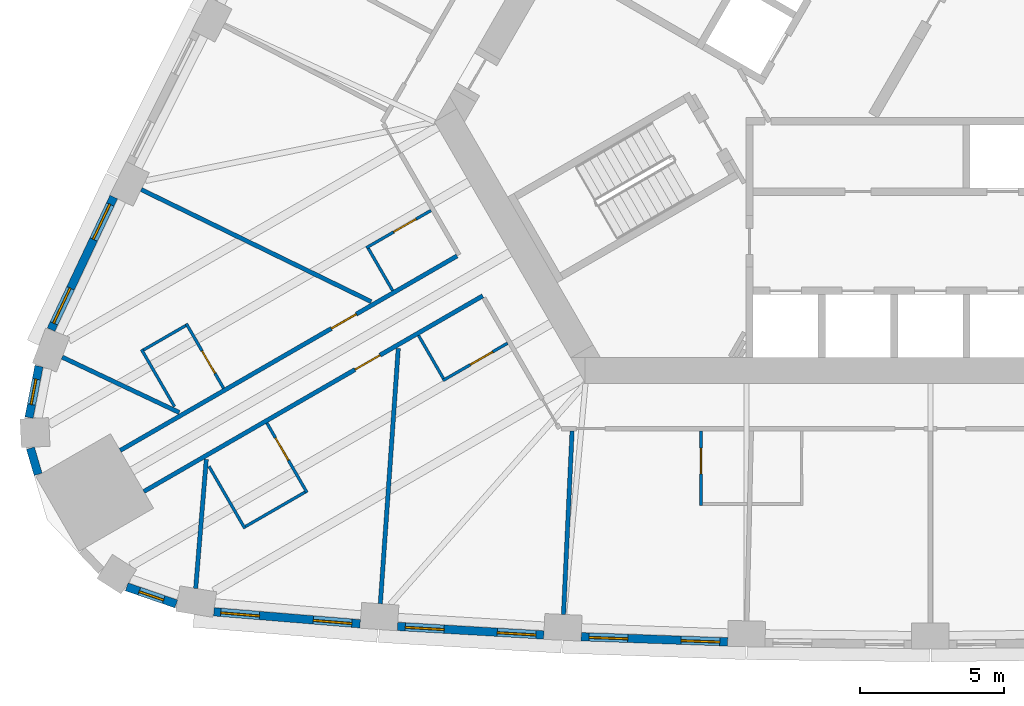
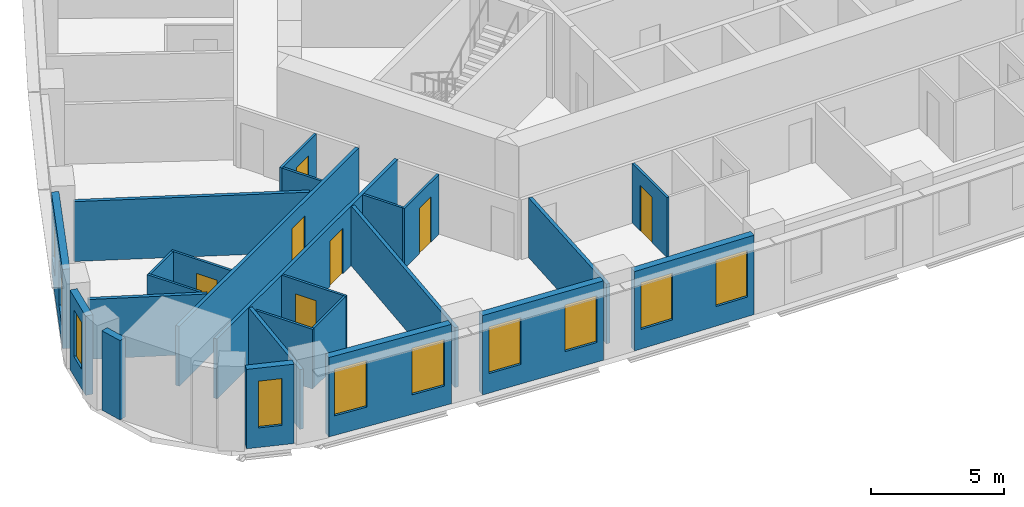
# One storey, part 3 of 12: 25 walls, 10 windows, 7 doors, 17 openings.
"""IFC4 building model written with IfcOpenShell, lengths in metres."""

from ifc_helpers import new_model, si_unit, direction, frame, frame_2d, origin, place, context, subcontext, project, spatial, rectangle, extrude, material, layer, layer_set, type_object, element, fill, save


model = new_model("IFC4")

# Units and contexts
model_context = context("Model", 3, precision=1e-05, world=origin(), true_north=direction((0.0, 1.0)))
body_context = subcontext(model_context, "Body", "Model", "MODEL_VIEW")
ifc_project = project(units=[si_unit("LENGTHUNIT", "METRE"), si_unit("AREAUNIT", "SQUARE_METRE"), si_unit("VOLUMEUNIT", "CUBIC_METRE"), si_unit("PLANEANGLEUNIT", "RADIAN"), si_unit("MASSUNIT", "GRAM", prefix="KILO")], contexts=[model_context])

# Site, building, storey
site_placement = place(None, origin())
site = spatial("IfcSite", under=ifc_project, at=site_placement, CompositionType="ELEMENT")
building_placement = place(site_placement, origin())
building = spatial("IfcBuilding", under=site, at=building_placement, Name="Mestral Congress Tower", CompositionType="ELEMENT")
storey_placement = place(building_placement, frame((0.0, 0.0, 103.199951171875)))
storey = spatial("IfcBuildingStorey", under=building, at=storey_placement, Name="L24", CompositionType="ELEMENT", Elevation=103.199951171875)

# Wall, openings, windows
ifc_material_1 = material(Name="Precast concrete C40/50 with limestone facing", Category="masonry")
ifc_layer_1 = layer(ifc_material_1, 0.2900390625)
ifc_layer_set_1 = layer_set([ifc_layer_1], Name="Precast concrete C40/50 with limestone facing")
wall_type_1 = type_object("IfcWallType", Name="Facade stone wall 290", PredefinedType="SOLIDWALL", material=ifc_layer_set_1)
wall_1_placement = place(storey_placement, frame((-24.9462890625, -20.95361328125, 0.0), z_axis=(0.0, 0.0, 1.0), x_axis=(0.99665273362, -0.081751627308, 0.0)))
wall_1 = element("IfcWall", 1, at=wall_1_placement, inside=storey, type_object=wall_type_1, Name="Facade wall F0-00", PredefinedType="SOLIDWALL", context=body_context, shape_type="SweptSolid", body=[
    extrude(rectangle(XDim=5.106689453125, YDim=0.2900390625, at=frame_2d((2.55322265625, 0.0))), origin(), (0.0, 0.0, 1.0), 3.650146484375),
])
opening_1_placement = place(wall_1_placement, frame((0.240478515625, 0.0, 0.89990234375)))
opening_1 = element("IfcOpeningElement", 2, at=opening_1_placement, cuts=wall_1, Name="Opening W2", PredefinedType="OPENING", context=body_context, shape_type="SweptSolid", body=[
    extrude(rectangle(XDim=1.35009765625, YDim=2.14990234375, at=frame_2d((0.675048828125, 1.074951171875))), frame((0.0, 0.155029296875, 0.0), z_axis=(0.0, -1.0, 0.0), x_axis=(1.0, 0.0, 0.0)), (0.0, 0.0, 1.0), 0.31005859375),
])
opening_2_placement = place(wall_1_placement, frame((3.47119140625, 0.0, 0.89990234375)))
opening_2 = element("IfcOpeningElement", 3, at=opening_2_placement, cuts=wall_1, Name="Opening W2", PredefinedType="OPENING", context=body_context, shape_type="SweptSolid", body=[
    extrude(rectangle(XDim=1.35009765625, YDim=2.14990234375, at=frame_2d((0.675048828125, 1.074951171875))), frame((0.0, 0.155029296875, 0.0), z_axis=(0.0, -1.0, 0.0), x_axis=(1.0, 0.0, 0.0)), (0.0, 0.0, 1.0), 0.31005859375),
])
ifc_material_2 = material(Name="Clear low-emissivity double glazing", Category="glass")
window_type_1 = type_object("IfcWindowType", Name="Facade punched window 1350 x 2150 sill 900", PartitioningType="DOUBLE_PANEL_VERTICAL", PredefinedType="WINDOW", material=ifc_material_2)
window_1_placement = place(opening_1_placement, origin())
window_1 = element("IfcWindow", 4, at=window_1_placement, inside=storey, type_object=window_type_1, Name="Window F0-00a", OverallHeight=2.14990234375, OverallWidth=1.35009765625, PartitioningType="DOUBLE_PANEL_VERTICAL", PredefinedType="WINDOW", context=body_context, shape_type="SweptSolid", body=[
    extrude(rectangle(XDim=1.35009765625, YDim=2.14990234375, at=frame_2d((0.675048828125, 1.074951171875))), frame((0.0, 0.01513671875, 0.0), z_axis=(0.0, -1.0, 0.0), x_axis=(1.0, 0.0, 0.0)), (0.0, 0.0, 1.0), 0.06005859375),
])
fill(opening_1, window_1)
window_2_placement = place(opening_2_placement, origin())
window_2 = element("IfcWindow", 5, at=window_2_placement, inside=storey, type_object=window_type_1, Name="Window F0-00b", OverallHeight=2.14990234375, OverallWidth=1.35009765625, PartitioningType="DOUBLE_PANEL_VERTICAL", PredefinedType="WINDOW", context=body_context, shape_type="SweptSolid", body=[
    extrude(rectangle(XDim=1.35009765625, YDim=2.14990234375, at=frame_2d((0.675048828125, 1.074951171875))), frame((0.0, 0.01513671875, 0.0), z_axis=(0.0, -1.0, 0.0), x_axis=(1.0, 0.0, 0.0)), (0.0, 0.0, 1.0), 0.06005859375),
])
fill(opening_2, window_2)

wall_2_placement = place(storey_placement, frame((-18.553466796875, -21.462890625, 0.0), z_axis=(0.0, 0.0, 1.0), x_axis=(0.998290511436, -0.058447025388, 0.0)))
wall_2 = element("IfcWall", 6, at=wall_2_placement, inside=storey, type_object=wall_type_1, Name="Facade wall F0-01", PredefinedType="SOLIDWALL", context=body_context, shape_type="SweptSolid", body=[
    extrude(rectangle(XDim=5.100341796875, YDim=0.2900390625, at=frame_2d((2.55029296875, 0.0))), origin(), (0.0, 0.0, 1.0), 3.650146484375),
])
opening_3_placement = place(wall_2_placement, frame((0.272705078125, 0.0, 0.89990234375)))
opening_3 = element("IfcOpeningElement", 7, at=opening_3_placement, cuts=wall_2, Name="Opening W2", PredefinedType="OPENING", context=body_context, shape_type="SweptSolid", body=[
    extrude(rectangle(XDim=1.35009765625, YDim=2.14990234375, at=frame_2d((0.675048828125, 1.074951171875))), frame((0.0, 0.155029296875, 0.0), z_axis=(0.0, -1.0, 0.0), x_axis=(1.0, 0.0, 0.0)), (0.0, 0.0, 1.0), 0.31005859375),
])
opening_4_placement = place(wall_2_placement, frame((3.477783203125, 0.0, 0.89990234375)))
opening_4 = element("IfcOpeningElement", 8, at=opening_4_placement, cuts=wall_2, Name="Opening W2", PredefinedType="OPENING", context=body_context, shape_type="SweptSolid", body=[
    extrude(rectangle(XDim=1.35009765625, YDim=2.14990234375, at=frame_2d((0.675048828125, 1.074951171875))), frame((0.0, 0.155029296875, 0.0), z_axis=(0.0, -1.0, 0.0), x_axis=(1.0, 0.0, 0.0)), (0.0, 0.0, 1.0), 0.31005859375),
])
window_3_placement = place(opening_3_placement, origin())
window_3 = element("IfcWindow", 9, at=window_3_placement, inside=storey, type_object=window_type_1, Name="Window F0-01a", OverallHeight=2.14990234375, OverallWidth=1.35009765625, PartitioningType="DOUBLE_PANEL_VERTICAL", PredefinedType="WINDOW", context=body_context, shape_type="SweptSolid", body=[
    extrude(rectangle(XDim=1.35009765625, YDim=2.14990234375, at=frame_2d((0.675048828125, 1.074951171875))), frame((0.0, 0.01513671875, 0.0), z_axis=(0.0, -1.0, 0.0), x_axis=(1.0, 0.0, 0.0)), (0.0, 0.0, 1.0), 0.06005859375),
])
fill(opening_3, window_3)
window_4_placement = place(opening_4_placement, origin())
window_4 = element("IfcWindow", 10, at=window_4_placement, inside=storey, type_object=window_type_1, Name="Window F0-01b", OverallHeight=2.14990234375, OverallWidth=1.35009765625, PartitioningType="DOUBLE_PANEL_VERTICAL", PredefinedType="WINDOW", context=body_context, shape_type="SweptSolid", body=[
    extrude(rectangle(XDim=1.35009765625, YDim=2.14990234375, at=frame_2d((0.675048828125, 1.074951171875))), frame((0.0, 0.01513671875, 0.0), z_axis=(0.0, -1.0, 0.0), x_axis=(1.0, 0.0, 0.0)), (0.0, 0.0, 1.0), 0.06005859375),
])
fill(opening_4, window_4)

wall_3_placement = place(storey_placement, frame((-12.15673828125, -21.822021484375, 0.0), z_axis=(0.0, 0.0, 1.0), x_axis=(0.999385993957, -0.035037623812, 0.0)))
wall_3 = element("IfcWall", 11, at=wall_3_placement, inside=storey, type_object=wall_type_1, Name="Facade wall F0-02", PredefinedType="SOLIDWALL", context=body_context, shape_type="SweptSolid", body=[
    extrude(rectangle(XDim=5.1005859375, YDim=0.2900390625, at=frame_2d((2.55029296875, 0.0))), origin(), (0.0, 0.0, 1.0), 3.650146484375),
])
opening_5_placement = place(wall_3_placement, frame((0.272705078125, 0.0, 0.89990234375)))
opening_5 = element("IfcOpeningElement", 12, at=opening_5_placement, cuts=wall_3, Name="Opening W2", PredefinedType="OPENING", context=body_context, shape_type="SweptSolid", body=[
    extrude(rectangle(XDim=1.35009765625, YDim=2.14990234375, at=frame_2d((0.675048828125, 1.074951171875))), frame((0.0, 0.155029296875, 0.0), z_axis=(0.0, -1.0, 0.0), x_axis=(1.0, 0.0, 0.0)), (0.0, 0.0, 1.0), 0.31005859375),
])
opening_6_placement = place(wall_3_placement, frame((3.477783203125, 0.0, 0.89990234375)))
opening_6 = element("IfcOpeningElement", 13, at=opening_6_placement, cuts=wall_3, Name="Opening W2", PredefinedType="OPENING", context=body_context, shape_type="SweptSolid", body=[
    extrude(rectangle(XDim=1.35009765625, YDim=2.14990234375, at=frame_2d((0.675048828125, 1.074951171875))), frame((0.0, 0.155029296875, 0.0), z_axis=(0.0, -1.0, 0.0), x_axis=(1.0, 0.0, 0.0)), (0.0, 0.0, 1.0), 0.31005859375),
])
window_5_placement = place(opening_5_placement, origin())
window_5 = element("IfcWindow", 14, at=window_5_placement, inside=storey, type_object=window_type_1, Name="Window F0-02a", OverallHeight=2.14990234375, OverallWidth=1.35009765625, PartitioningType="DOUBLE_PANEL_VERTICAL", PredefinedType="WINDOW", context=body_context, shape_type="SweptSolid", body=[
    extrude(rectangle(XDim=1.35009765625, YDim=2.14990234375, at=frame_2d((0.675048828125, 1.074951171875))), frame((0.0, 0.01513671875, 0.0), z_axis=(0.0, -1.0, 0.0), x_axis=(1.0, 0.0, 0.0)), (0.0, 0.0, 1.0), 0.06005859375),
])
fill(opening_5, window_5)
window_6_placement = place(opening_6_placement, origin())
window_6 = element("IfcWindow", 15, at=window_6_placement, inside=storey, type_object=window_type_1, Name="Window F0-02b", OverallHeight=2.14990234375, OverallWidth=1.35009765625, PartitioningType="DOUBLE_PANEL_VERTICAL", PredefinedType="WINDOW", context=body_context, shape_type="SweptSolid", body=[
    extrude(rectangle(XDim=1.35009765625, YDim=2.14990234375, at=frame_2d((0.675048828125, 1.074951171875))), frame((0.0, 0.01513671875, 0.0), z_axis=(0.0, -1.0, 0.0), x_axis=(1.0, 0.0, 0.0)), (0.0, 0.0, 1.0), 0.06005859375),
])
fill(opening_6, window_6)

wall_4_placement = place(storey_placement, frame((-28.436279296875, -6.5107421875, 0.0), z_axis=(0.0, 0.0, 1.0), x_axis=(-0.427543726596, -0.903994669148, 0.0)))
wall_4 = element("IfcWall", 16, at=wall_4_placement, inside=storey, type_object=wall_type_1, Name="Facade wall F2-07", PredefinedType="SOLIDWALL", context=body_context, shape_type="SweptSolid", body=[
    extrude(rectangle(XDim=5.106689453125, YDim=0.2900390625, at=frame_2d((2.55322265625, 0.0))), origin(), (0.0, 0.0, 1.0), 3.650146484375),
])
opening_7_placement = place(wall_4_placement, frame((0.285400390625, 0.0, 0.89990234375)))
opening_7 = element("IfcOpeningElement", 17, at=opening_7_placement, cuts=wall_4, Name="Opening W2", PredefinedType="OPENING", context=body_context, shape_type="SweptSolid", body=[
    extrude(rectangle(XDim=1.35009765625, YDim=2.14990234375, at=frame_2d((0.675048828125, 1.074951171875))), frame((0.0, 0.155029296875, 0.0), z_axis=(0.0, -1.0, 0.0), x_axis=(1.0, 0.0, 0.0)), (0.0, 0.0, 1.0), 0.31005859375),
])
opening_8_placement = place(wall_4_placement, frame((3.516357421875, 0.0, 0.89990234375)))
opening_8 = element("IfcOpeningElement", 18, at=opening_8_placement, cuts=wall_4, Name="Opening W2", PredefinedType="OPENING", context=body_context, shape_type="SweptSolid", body=[
    extrude(rectangle(XDim=1.35009765625, YDim=2.14990234375, at=frame_2d((0.675048828125, 1.074951171875))), frame((0.0, 0.155029296875, 0.0), z_axis=(0.0, -1.0, 0.0), x_axis=(1.0, 0.0, 0.0)), (0.0, 0.0, 1.0), 0.31005859375),
])
window_7_placement = place(opening_7_placement, origin())
window_7 = element("IfcWindow", 19, at=window_7_placement, inside=storey, type_object=window_type_1, Name="Window F2-07a", OverallHeight=2.14990234375, OverallWidth=1.35009765625, PartitioningType="DOUBLE_PANEL_VERTICAL", PredefinedType="WINDOW", context=body_context, shape_type="SweptSolid", body=[
    extrude(rectangle(XDim=1.35009765625, YDim=2.14990234375, at=frame_2d((0.675048828125, 1.074951171875))), frame((0.0, 0.01513671875, 0.0), z_axis=(0.0, -1.0, 0.0), x_axis=(1.0, 0.0, 0.0)), (0.0, 0.0, 1.0), 0.06005859375),
])
fill(opening_7, window_7)
window_8_placement = place(opening_8_placement, origin())
window_8 = element("IfcWindow", 20, at=window_8_placement, inside=storey, type_object=window_type_1, Name="Window F2-07b", OverallHeight=2.14990234375, OverallWidth=1.35009765625, PartitioningType="DOUBLE_PANEL_VERTICAL", PredefinedType="WINDOW", context=body_context, shape_type="SweptSolid", body=[
    extrude(rectangle(XDim=1.35009765625, YDim=2.14990234375, at=frame_2d((0.675048828125, 1.074951171875))), frame((0.0, 0.01513671875, 0.0), z_axis=(0.0, -1.0, 0.0), x_axis=(1.0, 0.0, 0.0)), (0.0, 0.0, 1.0), 0.06005859375),
])
fill(opening_8, window_8)

# Wall, opening, window
wall_5_placement = place(storey_placement, frame((-31.0390625, -12.403076171875, 0.0), z_axis=(0.0, 0.0, 1.0), x_axis=(-0.190409913989, -0.981704672829, 0.0)))
wall_5 = element("IfcWall", 21, at=wall_5_placement, inside=storey, type_object=wall_type_1, Name="Facade wall K2-0", PredefinedType="SOLIDWALL", context=body_context, shape_type="SweptSolid", body=[
    extrude(rectangle(XDim=1.8193359375, YDim=0.2900390625, at=frame_2d((0.90966796875, 0.0))), origin(), (0.0, 0.0, 1.0), 3.650146484375),
])
opening_9_placement = place(wall_5_placement, frame((0.459716796875, 0.0, 0.89990234375)))
opening_9 = element("IfcOpeningElement", 22, at=opening_9_placement, cuts=wall_5, Name="Opening W3", PredefinedType="OPENING", context=body_context, shape_type="SweptSolid", body=[
    extrude(rectangle(XDim=0.89990234375, YDim=2.14990234375, at=frame_2d((0.449951171875, 1.074951171875))), frame((0.0, 0.155029296875, 0.0), z_axis=(0.0, -1.0, 0.0), x_axis=(1.0, 0.0, 0.0)), (0.0, 0.0, 1.0), 0.31005859375),
])
window_type_2 = type_object("IfcWindowType", Name="Facade punched window 900 x 2150 sill 900", PartitioningType="SINGLE_PANEL", PredefinedType="WINDOW", material=ifc_material_2)
window_9_placement = place(opening_9_placement, origin())
window_9 = element("IfcWindow", 23, at=window_9_placement, inside=storey, type_object=window_type_2, Name="Window K2-0", OverallHeight=2.14990234375, OverallWidth=0.89990234375, PartitioningType="SINGLE_PANEL", PredefinedType="WINDOW", context=body_context, shape_type="SweptSolid", body=[
    extrude(rectangle(XDim=0.89990234375, YDim=2.14990234375, at=frame_2d((0.449951171875, 1.074951171875))), frame((0.0, 0.01513671875, 0.0), z_axis=(0.0, -1.0, 0.0), x_axis=(1.0, 0.0, 0.0)), (0.0, 0.0, 1.0), 0.06005859375),
])
fill(opening_9, window_9)

# Wall
wall_6_placement = place(storey_placement, frame((-31.335693359375, -15.25634765625, 0.0), z_axis=(0.0, 0.0, 1.0), x_axis=(0.281454582132, -0.95957455062, 0.0)))
element("IfcWall", 24, at=wall_6_placement, inside=storey, type_object=wall_type_1, Name="Facade wall K2-1", PredefinedType="SOLIDWALL", context=body_context, shape_type="SweptSolid", body=[
    extrude(rectangle(XDim=0.947265625, YDim=0.2900390625, at=frame_2d((0.4736328125, 0.0))), origin(), (0.0, 0.0, 1.0), 3.650146484375),
])

# Wall, opening, window
wall_7_placement = place(storey_placement, frame((-27.98095703125, -20.086181640625, 0.0), z_axis=(0.0, 0.0, 1.0), x_axis=(0.945385815453, -0.325953462844, 0.0)))
wall_7 = element("IfcWall", 25, at=wall_7_placement, inside=storey, type_object=wall_type_1, Name="Facade wall K2-3", PredefinedType="SOLIDWALL", context=body_context, shape_type="SweptSolid", body=[
    extrude(rectangle(XDim=1.8193359375, YDim=0.2900390625, at=frame_2d((0.90966796875, 0.0))), origin(), (0.0, 0.0, 1.0), 3.650146484375),
])
opening_10_placement = place(wall_7_placement, frame((0.459716796875, 0.0, 0.89990234375)))
opening_10 = element("IfcOpeningElement", 26, at=opening_10_placement, cuts=wall_7, Name="Opening W3", PredefinedType="OPENING", context=body_context, shape_type="SweptSolid", body=[
    extrude(rectangle(XDim=0.89990234375, YDim=2.14990234375, at=frame_2d((0.449951171875, 1.074951171875))), frame((0.0, 0.155029296875, 0.0), z_axis=(0.0, -1.0, 0.0), x_axis=(1.0, 0.0, 0.0)), (0.0, 0.0, 1.0), 0.31005859375),
])
window_10_placement = place(opening_10_placement, origin())
window_10 = element("IfcWindow", 27, at=window_10_placement, inside=storey, type_object=window_type_2, Name="Window K2-3", OverallHeight=2.14990234375, OverallWidth=0.89990234375, PartitioningType="SINGLE_PANEL", PredefinedType="WINDOW", context=body_context, shape_type="SweptSolid", body=[
    extrude(rectangle(XDim=0.89990234375, YDim=2.14990234375, at=frame_2d((0.449951171875, 1.074951171875))), frame((0.0, 0.01513671875, 0.0), z_axis=(0.0, -1.0, 0.0), x_axis=(1.0, 0.0, 0.0)), (0.0, 0.0, 1.0), 0.06005859375),
])
fill(opening_10, window_10)

# Wall, opening, door
ifc_material_3 = material(Name="Gypsum board partition on metal studs with mineral wool", Category="composite")
ifc_layer_2 = layer(ifc_material_3, 0.10009765625)
ifc_layer_set_2 = layer_set([ifc_layer_2], Name="Gypsum board partition on metal studs with mineral wool")
wall_type_2 = type_object("IfcWallType", Name="Hotel partition wall 100", PredefinedType="PARTITIONING", material=ifc_layer_set_2)
wall_8_placement = place(storey_placement, frame((-21.703857421875, -16.802978515625, 0.0), z_axis=(0.0, 0.0, 1.0), x_axis=(-0.500049511043, 0.865996816683, 0.0)))
wall_8 = element("IfcWall", 28, at=wall_8_placement, inside=storey, type_object=wall_type_2, Name="L24-h-pod01a", PredefinedType="PARTITIONING", context=body_context, shape_type="SweptSolid", body=[
    extrude(rectangle(XDim=2.800048828125, YDim=0.10009765625, at=frame_2d((1.39990234375, 0.0))), origin(), (0.0, 0.0, 1.0), 2.75),
])
opening_11_placement = place(wall_8_placement, frame((1.300048828125, 0.0, 0.0)))
opening_11 = element("IfcOpeningElement", 29, at=opening_11_placement, cuts=wall_8, Name="Opening H07-002", PredefinedType="OPENING", context=body_context, shape_type="SweptSolid", body=[
    extrude(rectangle(XDim=0.89990234375, YDim=2.10009765625, at=frame_2d((0.449951171875, 1.050048828125))), frame((0.0, 0.06005859375, 0.0), z_axis=(0.0, -1.0, 0.0), x_axis=(1.0, 0.0, 0.0)), (0.0, 0.0, 1.0), 0.1201171875),
])
ifc_material_4 = material(Name="Timber veneer door leaf in timber frame", Category="wood")
door_type_1 = type_object("IfcDoorType", Name="Bathroom door 900", OperationType="SINGLE_SWING_LEFT", PredefinedType="DOOR", material=ifc_material_4)
door_1_placement = place(opening_11_placement, origin())
door_1 = element("IfcDoor", 30, at=door_1_placement, inside=storey, type_object=door_type_1, Name="L24-h-d002", OperationType="SINGLE_SWING_LEFT", OverallHeight=2.10009765625, OverallWidth=0.89990234375, PredefinedType="DOOR", context=body_context, shape_type="SweptSolid", body=[
    extrude(rectangle(XDim=0.89990234375, YDim=2.10009765625, at=frame_2d((0.449951171875, 1.050048828125))), frame((0.0, 0.02490234375, 0.0), z_axis=(0.0, -1.0, 0.0), x_axis=(1.0, 0.0, 0.0)), (0.0, 0.0, 1.0), 0.050048828125),
])
fill(opening_11, door_1)

# Walls
wall_9_placement = place(storey_placement, frame((-21.772216796875, -16.784912109375, 0.0), z_axis=(0.0, 0.0, 1.0), x_axis=(-0.866024647952, -0.500001309137, 0.0)))
element("IfcWall", 31, at=wall_9_placement, inside=storey, type_object=wall_type_2, Name="L24-h-pod01b", PredefinedType="PARTITIONING", context=body_context, shape_type="SweptSolid", body=[
    extrude(rectangle(XDim=2.39990234375, YDim=0.10009765625, at=frame_2d((1.199951171875, 0.0))), origin(), (0.0, 0.0, 1.0), 2.75),
])
wall_10_placement = place(storey_placement, frame((-25.118896484375, -15.88818359375, 0.0), z_axis=(0.0, 0.0, 1.0), x_axis=(0.500046524342, -0.865998541277, 0.0)))
element("IfcWall", 32, at=wall_10_placement, inside=storey, type_object=wall_type_2, Name="L24-h-pod01c", PredefinedType="PARTITIONING", context=body_context, shape_type="SweptSolid", body=[
    extrude(rectangle(XDim=2.499755859375, YDim=0.10009765625, at=frame_2d((1.25, 0.0))), origin(), (0.0, 0.0, 1.0), 2.75),
])

# Wall, opening, door
wall_11_placement = place(storey_placement, frame((-16.973876953125, -12.900390625, 0.0), z_axis=(0.0, 0.0, 1.0), x_axis=(0.865997922154, 0.500047596559, 0.0)))
wall_11 = element("IfcWall", 33, at=wall_11_placement, inside=storey, type_object=wall_type_2, Name="L24-h-pod02a", PredefinedType="PARTITIONING", context=body_context, shape_type="SweptSolid", body=[
    extrude(rectangle(XDim=2.599853515625, YDim=0.10009765625, at=frame_2d((1.2998046875, 0.0))), origin(), (0.0, 0.0, 1.0), 2.75),
])
opening_12_placement = place(wall_11_placement, frame((1.10009765625, 0.0, 0.0)))
opening_12 = element("IfcOpeningElement", 34, at=opening_12_placement, cuts=wall_11, Name="Opening H07-004", PredefinedType="OPENING", context=body_context, shape_type="SweptSolid", body=[
    extrude(rectangle(XDim=0.89990234375, YDim=2.10009765625, at=frame_2d((0.449951171875, 1.050048828125))), frame((0.0, 0.06005859375, 0.0), z_axis=(0.0, -1.0, 0.0), x_axis=(1.0, 0.0, 0.0)), (0.0, 0.0, 1.0), 0.1201171875),
])
door_2_placement = place(opening_12_placement, origin())
door_2 = element("IfcDoor", 35, at=door_2_placement, inside=storey, type_object=door_type_1, Name="L24-h-d004", OperationType="SINGLE_SWING_LEFT", OverallHeight=2.10009765625, OverallWidth=0.89990234375, PredefinedType="DOOR", context=body_context, shape_type="SweptSolid", body=[
    extrude(rectangle(XDim=0.89990234375, YDim=2.10009765625, at=frame_2d((0.449951171875, 1.050048828125))), frame((0.0, 0.02490234375, 0.0), z_axis=(0.0, -1.0, 0.0), x_axis=(1.0, 0.0, 0.0)), (0.0, 0.0, 1.0), 0.050048828125),
])
fill(opening_12, door_2)

# Wall
wall_12_placement = place(storey_placement, frame((-16.95556640625, -12.83203125, 0.0), z_axis=(0.0, 0.0, 1.0), x_axis=(-0.499978980201, 0.866037539231, 0.0)))
element("IfcWall", 36, at=wall_12_placement, inside=storey, type_object=wall_type_2, Name="L24-h-pod02b", PredefinedType="PARTITIONING", context=body_context, shape_type="SweptSolid", body=[
    extrude(rectangle(XDim=1.72998046875, YDim=0.10009765625, at=frame_2d((0.864990234375, 0.0))), origin(), (0.0, 0.0, 1.0), 2.75),
])

# Wall, opening, door
wall_13_placement = place(storey_placement, frame((-7.98779296875, -14.64990234375, 0.0), z_axis=(0.0, 0.0, 1.0), x_axis=(0.0, -1.0, 0.0)))
wall_13 = element("IfcWall", 37, at=wall_13_placement, inside=storey, type_object=wall_type_2, Name="L24-h-pod03a", PredefinedType="PARTITIONING", context=body_context, shape_type="SweptSolid", body=[
    extrude(rectangle(XDim=2.60009765625, YDim=0.10009765625, at=frame_2d((1.300048828125, 0.0))), origin(), (0.0, 0.0, 1.0), 2.75),
])
opening_13_placement = place(wall_13_placement, frame((0.60009765625, 0.0, 0.0)))
opening_13 = element("IfcOpeningElement", 38, at=opening_13_placement, cuts=wall_13, Name="Opening H07-006", PredefinedType="OPENING", context=body_context, shape_type="SweptSolid", body=[
    extrude(rectangle(XDim=0.89990234375, YDim=2.10009765625, at=frame_2d((0.449951171875, 1.050048828125))), frame((0.0, 0.06005859375, 0.0), z_axis=(0.0, -1.0, 0.0), x_axis=(1.0, 0.0, 0.0)), (0.0, 0.0, 1.0), 0.1201171875),
])
door_3_placement = place(opening_13_placement, origin())
door_3 = element("IfcDoor", 39, at=door_3_placement, inside=storey, type_object=door_type_1, Name="L24-h-d006", OperationType="SINGLE_SWING_RIGHT", OverallHeight=2.10009765625, OverallWidth=0.89990234375, PredefinedType="DOOR", context=body_context, shape_type="SweptSolid", body=[
    extrude(rectangle(XDim=0.89990234375, YDim=2.10009765625, at=frame_2d((0.449951171875, 1.050048828125))), frame((0.0, 0.02490234375, 0.0), z_axis=(0.0, -1.0, 0.0), x_axis=(1.0, 0.0, 0.0)), (0.0, 0.0, 1.0), 0.050048828125),
])
fill(opening_13, door_3)

wall_14_placement = place(storey_placement, frame((-17.390380859375, -6.97900390625, 0.0), z_axis=(0.0, 0.0, 1.0), x_axis=(-0.866021400173, -0.500006934395, 0.0)))
wall_14 = element("IfcWall", 40, at=wall_14_placement, inside=storey, type_object=wall_type_2, Name="L24-h-pod25a", PredefinedType="PARTITIONING", context=body_context, shape_type="SweptSolid", body=[
    extrude(rectangle(XDim=2.60009765625, YDim=0.10009765625, at=frame_2d((1.300048828125, 0.0))), origin(), (0.0, 0.0, 1.0), 2.75),
])
opening_14_placement = place(wall_14_placement, frame((0.60009765625, 0.0, 0.0)))
opening_14 = element("IfcOpeningElement", 41, at=opening_14_placement, cuts=wall_14, Name="Opening H07-047", PredefinedType="OPENING", context=body_context, shape_type="SweptSolid", body=[
    extrude(rectangle(XDim=0.89990234375, YDim=2.10009765625, at=frame_2d((0.449951171875, 1.050048828125))), frame((0.0, 0.06005859375, 0.0), z_axis=(0.0, -1.0, 0.0), x_axis=(1.0, 0.0, 0.0)), (0.0, 0.0, 1.0), 0.1201171875),
])
door_4_placement = place(opening_14_placement, origin())
door_4 = element("IfcDoor", 42, at=door_4_placement, inside=storey, type_object=door_type_1, Name="L24-h-d047", OperationType="SINGLE_SWING_LEFT", OverallHeight=2.10009765625, OverallWidth=0.89990234375, PredefinedType="DOOR", context=body_context, shape_type="SweptSolid", body=[
    extrude(rectangle(XDim=0.89990234375, YDim=2.10009765625, at=frame_2d((0.449951171875, 1.050048828125))), frame((0.0, 0.02490234375, 0.0), z_axis=(0.0, -1.0, 0.0), x_axis=(1.0, 0.0, 0.0)), (0.0, 0.0, 1.0), 0.050048828125),
])
fill(opening_14, door_4)

# Wall
wall_15_placement = place(storey_placement, frame((-19.57373046875, -8.29736328125, 0.0), z_axis=(0.0, 0.0, 1.0), x_axis=(0.500062241894, -0.865989465428, 0.0)))
element("IfcWall", 43, at=wall_15_placement, inside=storey, type_object=wall_type_2, Name="L24-h-pod25b", PredefinedType="PARTITIONING", context=body_context, shape_type="SweptSolid", body=[
    extrude(rectangle(XDim=1.699951171875, YDim=0.10009765625, at=frame_2d((0.85009765625, 0.0))), origin(), (0.0, 0.0, 1.0), 2.75),
])

# Wall, opening, door
wall_16_placement = place(storey_placement, frame((-24.610107421875, -13.16943359375, 0.0), z_axis=(0.0, 0.0, 1.0), x_axis=(-0.500006934395, 0.866021400173, 0.0)))
wall_16 = element("IfcWall", 44, at=wall_16_placement, inside=storey, type_object=wall_type_2, Name="L24-h-pod26a", PredefinedType="PARTITIONING", context=body_context, shape_type="SweptSolid", body=[
    extrude(rectangle(XDim=2.60009765625, YDim=0.10009765625, at=frame_2d((1.300048828125, 0.0))), origin(), (0.0, 0.0, 1.0), 2.75),
])
opening_15_placement = place(wall_16_placement, frame((0.60009765625, 0.0, 0.0)))
opening_15 = element("IfcOpeningElement", 45, at=opening_15_placement, cuts=wall_16, Name="Opening H07-049", PredefinedType="OPENING", context=body_context, shape_type="SweptSolid", body=[
    extrude(rectangle(XDim=0.89990234375, YDim=2.10009765625, at=frame_2d((0.449951171875, 1.050048828125))), frame((0.0, 0.06005859375, 0.0), z_axis=(0.0, -1.0, 0.0), x_axis=(1.0, 0.0, 0.0)), (0.0, 0.0, 1.0), 0.1201171875),
])
door_5_placement = place(opening_15_placement, origin())
door_5 = element("IfcDoor", 46, at=door_5_placement, inside=storey, type_object=door_type_1, Name="L24-h-d049", OperationType="SINGLE_SWING_LEFT", OverallHeight=2.10009765625, OverallWidth=0.89990234375, PredefinedType="DOOR", context=body_context, shape_type="SweptSolid", body=[
    extrude(rectangle(XDim=0.89990234375, YDim=2.10009765625, at=frame_2d((0.449951171875, 1.050048828125))), frame((0.0, 0.02490234375, 0.0), z_axis=(0.0, -1.0, 0.0), x_axis=(1.0, 0.0, 0.0)), (0.0, 0.0, 1.0), 0.050048828125),
])
fill(opening_15, door_5)

# Walls
wall_17_placement = place(storey_placement, frame((-25.928466796875, -10.986083984375, 0.0), z_axis=(0.0, 0.0, 1.0), x_axis=(-0.865989465428, -0.500062241894, 0.0)))
element("IfcWall", 47, at=wall_17_placement, inside=storey, type_object=wall_type_2, Name="L24-h-pod26b", PredefinedType="PARTITIONING", context=body_context, shape_type="SweptSolid", body=[
    extrude(rectangle(XDim=1.699951171875, YDim=0.10009765625, at=frame_2d((0.85009765625, 0.0))), origin(), (0.0, 0.0, 1.0), 2.75),
])
wall_18_placement = place(storey_placement, frame((-26.319091796875, -13.809814453125, 0.0), z_axis=(0.0, 0.0, 1.0), x_axis=(-0.499952165731, 0.866053019151, 0.0)))
element("IfcWall", 48, at=wall_18_placement, inside=storey, type_object=wall_type_2, Name="L24-h-pod26c", PredefinedType="PARTITIONING", context=body_context, shape_type="SweptSolid", body=[
    extrude(rectangle(XDim=2.300048828125, YDim=0.10009765625, at=frame_2d((1.14990234375, 0.0))), origin(), (0.0, 0.0, 1.0), 2.75),
])

# Wall, opening, door
ifc_layer_3 = layer(ifc_material_3, 0.14990234375)
ifc_layer_set_3 = layer_set([ifc_layer_3], Name="Gypsum board partition on metal studs with mineral wool")
wall_type_3 = type_object("IfcWallType", Name="Hotel partition wall 150", PredefinedType="PARTITIONING", material=ifc_layer_set_3)
wall_19_placement = place(storey_placement, frame((-28.210693359375, -15.334716796875, 0.0), z_axis=(0.0, 0.0, 1.0), x_axis=(0.866025884867, 0.49999916674, 0.0)))
wall_19 = element("IfcWall", 49, at=wall_19_placement, inside=storey, type_object=wall_type_3, Name="L24-h-cw10", PredefinedType="PARTITIONING", context=body_context, shape_type="SweptSolid", body=[
    extrude(rectangle(XDim=13.54345703125, YDim=0.14990234375, at=frame_2d((6.771728515625, 0.0))), origin(), (0.0, 0.0, 1.0), 2.75),
])
opening_16_placement = place(wall_19_placement, frame((8.48828125, 0.0, 0.0)))
opening_16 = element("IfcOpeningElement", 50, at=opening_16_placement, cuts=wall_19, Name="Opening H07-048", PredefinedType="OPENING", context=body_context, shape_type="SweptSolid", body=[
    extrude(rectangle(XDim=1.0, YDim=2.10009765625, at=frame_2d((0.5, 1.050048828125))), frame((0.0, 0.0849609375, 0.0), z_axis=(0.0, -1.0, 0.0), x_axis=(1.0, 0.0, 0.0)), (0.0, 0.0, 1.0), 0.169921875),
])
ifc_material_5 = material(Name="Timber veneer door leaf in metal frame", Category="wood")
door_type_2 = type_object("IfcDoorType", Name="Guest room entrance door 1000", OperationType="SINGLE_SWING_LEFT", PredefinedType="DOOR", material=ifc_material_5)
door_6_placement = place(opening_16_placement, origin())
door_6 = element("IfcDoor", 51, at=door_6_placement, inside=storey, type_object=door_type_2, Name="L24-h-d048", OperationType="SINGLE_SWING_RIGHT", OverallHeight=2.10009765625, OverallWidth=1.0, PredefinedType="DOOR", context=body_context, shape_type="SweptSolid", body=[
    extrude(rectangle(XDim=1.0, YDim=2.10009765625, at=frame_2d((0.5, 1.050048828125))), frame((0.0, 0.02490234375, 0.0), z_axis=(0.0, -1.0, 0.0), x_axis=(1.0, 0.0, 0.0)), (0.0, 0.0, 1.0), 0.050048828125),
])
fill(opening_16, door_6)

wall_20_placement = place(storey_placement, frame((-15.58740234375, -9.951904296875, 0.0), z_axis=(0.0, 0.0, 1.0), x_axis=(-0.866017869832, -0.500013048961, 0.0)))
wall_20 = element("IfcWall", 52, at=wall_20_placement, inside=storey, type_object=wall_type_3, Name="L24-h-cw11", PredefinedType="PARTITIONING", context=body_context, shape_type="SweptSolid", body=[
    extrude(rectangle(XDim=13.623779296875, YDim=0.14990234375, at=frame_2d((6.81201171875, 0.0))), origin(), (0.0, 0.0, 1.0), 2.75),
])
opening_17_placement = place(wall_20_placement, frame((4.1337890625, 0.0, 0.0)))
opening_17 = element("IfcOpeningElement", 53, at=opening_17_placement, cuts=wall_20, Name="Opening H07-001", PredefinedType="OPENING", context=body_context, shape_type="SweptSolid", body=[
    extrude(rectangle(XDim=1.0, YDim=2.10009765625, at=frame_2d((0.5, 1.050048828125))), frame((0.0, 0.0849609375, 0.0), z_axis=(0.0, -1.0, 0.0), x_axis=(1.0, 0.0, 0.0)), (0.0, 0.0, 1.0), 0.169921875),
])
door_7_placement = place(opening_17_placement, origin())
door_7 = element("IfcDoor", 54, at=door_7_placement, inside=storey, type_object=door_type_2, Name="L24-h-d001", OperationType="SINGLE_SWING_LEFT", OverallHeight=2.10009765625, OverallWidth=1.0, PredefinedType="DOOR", context=body_context, shape_type="SweptSolid", body=[
    extrude(rectangle(XDim=1.0, YDim=2.10009765625, at=frame_2d((0.5, 1.050048828125))), frame((0.0, 0.02490234375, 0.0), z_axis=(0.0, -1.0, 0.0), x_axis=(1.0, 0.0, 0.0)), (0.0, 0.0, 1.0), 0.050048828125),
])
fill(opening_17, door_7)

# Walls
wall_21_placement = place(storey_placement, frame((-30.23095703125, -12.08544921875, 0.0), z_axis=(0.0, 0.0, 1.0), x_axis=(0.904001132572, -0.427530060122, 0.0)))
element("IfcWall", 55, at=wall_21_placement, inside=storey, type_object=wall_type_3, Name="L24-h-pw01", PredefinedType="PARTITIONING", context=body_context, shape_type="SweptSolid", body=[
    extrude(rectangle(XDim=4.509521484375, YDim=0.14990234375, at=frame_2d((2.2548828125, 0.0))), origin(), (0.0, 0.0, 1.0), 2.75),
])
wall_22_placement = place(storey_placement, frame((-25.581787109375, -20.13818359375, 0.0), z_axis=(0.0, 0.0, 1.0), x_axis=(0.081746132986, 0.996653184283, 0.0)))
element("IfcWall", 56, at=wall_22_placement, inside=storey, type_object=wall_type_3, Name="L24-h-pw02", PredefinedType="PARTITIONING", context=body_context, shape_type="SweptSolid", body=[
    extrude(rectangle(XDim=4.509765625, YDim=0.14990234375, at=frame_2d((2.2548828125, 0.0))), origin(), (0.0, 0.0, 1.0), 2.75),
])
wall_23_placement = place(storey_placement, frame((-27.478515625, -6.2509765625, 0.0), z_axis=(0.0, 0.0, 1.0), x_axis=(0.898945877276, -0.438059710231, 0.0)))
element("IfcWall", 57, at=wall_23_placement, inside=storey, type_object=wall_type_3, Name="L24-h-pw03", PredefinedType="PARTITIONING", context=body_context, shape_type="SweptSolid", body=[
    extrude(rectangle(XDim=8.909423828125, YDim=0.14990234375, at=frame_2d((4.45458984375, 0.0))), origin(), (0.0, 0.0, 1.0), 2.75),
])
wall_24_placement = place(storey_placement, frame((-19.152587890625, -20.67138671875, 0.0), z_axis=(0.0, 0.0, 1.0), x_axis=(0.070070736723, 0.997542025107, 0.0)))
element("IfcWall", 58, at=wall_24_placement, inside=storey, type_object=wall_type_3, Name="L24-h-pw05", PredefinedType="PARTITIONING", context=body_context, shape_type="SweptSolid", body=[
    extrude(rectangle(XDim=8.9091796875, YDim=0.14990234375, at=frame_2d((4.45458984375, 0.0))), origin(), (0.0, 0.0, 1.0), 2.75),
])
wall_25_placement = place(storey_placement, frame((-12.7744140625, -21.044921875, 0.0), z_axis=(0.0, 0.0, 1.0), x_axis=(0.046750341626, 0.998906605023, 0.0)))
element("IfcWall", 59, at=wall_25_placement, inside=storey, type_object=wall_type_3, Name="L24-h-pw08", PredefinedType="PARTITIONING", context=body_context, shape_type="SweptSolid", body=[
    extrude(rectangle(XDim=6.39208984375, YDim=0.14990234375, at=frame_2d((3.196044921875, 0.0))), origin(), (0.0, 0.0, 1.0), 2.75),
])

save(model, "model.ifc")
